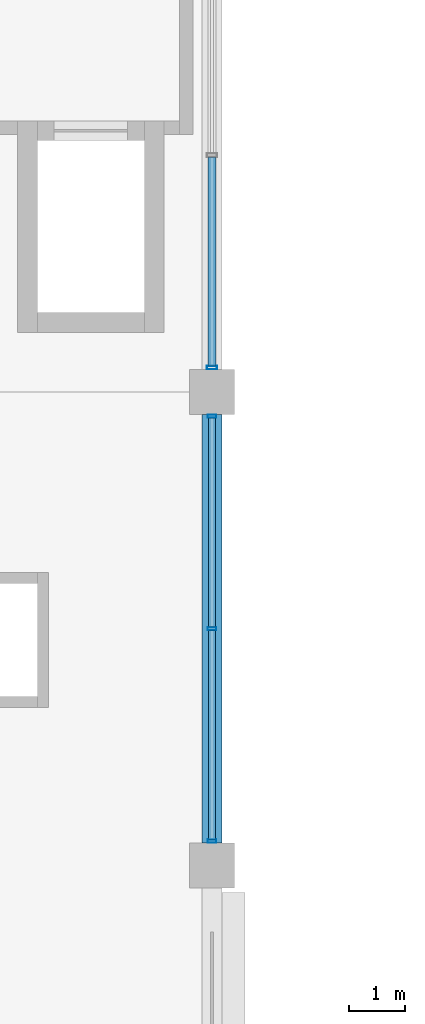
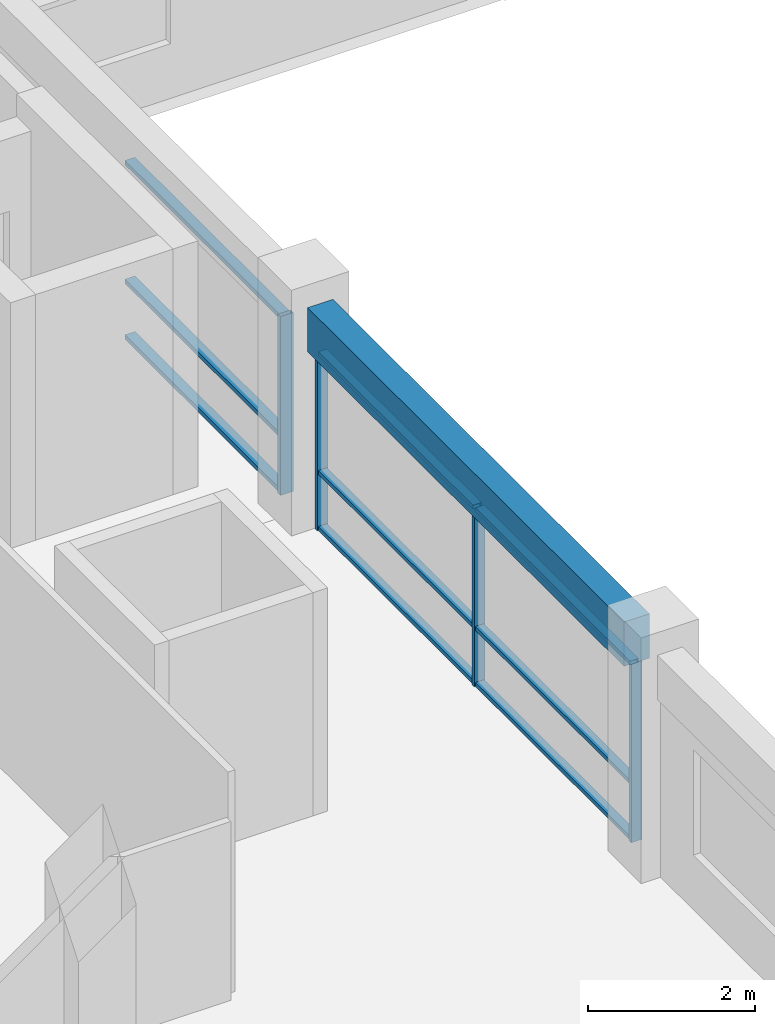
# One storey, part 2 of 50: 13 members, 1 beam, 2 elements without a shape of their own.
"""IFC4 building model written with IfcOpenShell, lengths in metres."""

from ifc_helpers import new_model, si_unit, direction, frame, origin, origin_2d, place, context, subcontext, project, spatial, rectangle, hollow_rectangle, extrude, material, material_profile, profile_set, type_object, element, aggregate, save


model = new_model("IFC4")

# Units and contexts
model_context = context("Model", 3, precision=1e-05, world=origin(), true_north=direction((0.0, 1.0)))
body_context = subcontext(model_context, "Body", "Model", "MODEL_VIEW")
ifc_project = project(units=[si_unit("LENGTHUNIT", "METRE"), si_unit("AREAUNIT", "SQUARE_METRE"), si_unit("VOLUMEUNIT", "CUBIC_METRE"), si_unit("PLANEANGLEUNIT", "RADIAN"), si_unit("MASSUNIT", "GRAM", prefix="KILO"), si_unit("THERMODYNAMICTEMPERATUREUNIT", "KELVIN"), si_unit("POWERUNIT", "WATT")], contexts=[model_context])

# Site, building, storey
site_placement = place(None, origin())
site = spatial("IfcSite", under=ifc_project, at=site_placement, CompositionType="ELEMENT")
building_placement = place(site_placement, origin())
building = spatial("IfcBuilding", under=site, at=building_placement, Name="Srebrne Nadtorze General Hospital", CompositionType="ELEMENT")
storey_placement = place(building_placement, frame((0.0, 0.0, 14.39990234375)))
storey = spatial("IfcBuildingStorey", under=building, at=storey_placement, Name="L03", CompositionType="ELEMENT", Elevation=14.39990234375)

# Curtain wall, members
ifc_material_1 = material(Name="Anodised Aluminium", Category="aluminium")
curtain_wall_type = type_object("IfcCurtainWallType", Name="Unitised curtain wall 7600x2620", PredefinedType="NOTDEFINED", material=ifc_material_1)
curtain_wall_1_placement = place(storey_placement, origin())
curtain_wall_1 = element("IfcCurtainWall", 1, at=curtain_wall_1_placement, inside=storey, type_object=curtain_wall_type, Name="Curtain wall CW-094", PredefinedType="NOTDEFINED")
ifc_material_2 = material(Name="Anodised Aluminium", Category="aluminium")
ifc_material_profile_1 = material_profile(ifc_material_2, hollow_rectangle(XDim=0.06005859375, YDim=0.14990234375, WallThickness=0.00390625, at=origin_2d()), Name="AL-MUL-60x150")
ifc_profile_set_1 = profile_set([ifc_material_profile_1], Name="Anodised Aluminium")
member_type_1 = type_object("IfcMemberType", Name="Curtain mullion 60x150", PredefinedType="MULLION", material=ifc_profile_set_1)
member_1_placement = place(storey_placement, frame((54.60009765625, 34.030029296875, 0.0), z_axis=(0.0, 0.0, 1.0), x_axis=(0.0, 1.0, 0.0)))
member_1 = element("IfcMember", 2, at=member_1_placement, type_object=member_type_1, Name="CW-094 mullion 1", PredefinedType="MULLION", context=body_context, shape_type="SweptSolid", body=[
    extrude(hollow_rectangle(XDim=0.06005859375, YDim=0.14990234375, WallThickness=0.00390625, at=origin_2d()), origin(), (0.0, 0.0, 1.0), 2.6201171875),
])
member_2_placement = place(storey_placement, frame((54.60009765625, 37.800048828125, 0.0), z_axis=(0.0, 0.0, 1.0), x_axis=(0.0, 1.0, 0.0)))
member_2 = element("IfcMember", 3, at=member_2_placement, type_object=member_type_1, Name="CW-094 mullion 2", PredefinedType="MULLION", context=body_context, shape_type="SweptSolid", body=[
    extrude(hollow_rectangle(XDim=0.06005859375, YDim=0.14990234375, WallThickness=0.00390625, at=origin_2d()), origin(), (0.0, 0.0, 1.0), 2.6201171875),
])
member_3_placement = place(storey_placement, frame((54.60009765625, 41.570068359375, 0.0), z_axis=(0.0, 0.0, 1.0), x_axis=(0.0, 1.0, 0.0)))
member_3 = element("IfcMember", 4, at=member_3_placement, type_object=member_type_1, Name="CW-094 mullion 3", PredefinedType="MULLION", context=body_context, shape_type="SweptSolid", body=[
    extrude(hollow_rectangle(XDim=0.06005859375, YDim=0.14990234375, WallThickness=0.00390625, at=origin_2d()), origin(), (0.0, 0.0, 1.0), 2.6201171875),
])

# Curtain wall, member
curtain_wall_2_placement = place(storey_placement, origin())
curtain_wall_2 = element("IfcCurtainWall", 5, at=curtain_wall_2_placement, inside=storey, type_object=curtain_wall_type, Name="Curtain wall CW-095", PredefinedType="NOTDEFINED")
ifc_material_3 = material(Name="Anodised Aluminium", Category="aluminium")
ifc_material_profile_2 = material_profile(ifc_material_3, hollow_rectangle(XDim=0.06494140625, YDim=0.179931640625, WallThickness=0.00390625, at=origin_2d()), Name="AL-MUL-65x180")
ifc_profile_set_2 = profile_set([ifc_material_profile_2], Name="Anodised Aluminium")
member_type_2 = type_object("IfcMemberType", Name="Curtain mullion 65x180", PredefinedType="MULLION", material=ifc_profile_set_2)
member_4_placement = place(storey_placement, frame((54.60009765625, 42.4326171875, 0.0), z_axis=(0.0, 0.0, 1.0), x_axis=(0.0, 1.0, 0.0)))
member_4 = element("IfcMember", 6, at=member_4_placement, type_object=member_type_2, Name="CW-095 mullion 1", PredefinedType="MULLION", context=body_context, shape_type="SweptSolid", body=[
    extrude(hollow_rectangle(XDim=0.06494140625, YDim=0.179931640625, WallThickness=0.00390625, at=origin_2d()), origin(), (0.0, 0.0, 1.0), 2.6201171875),
])

# Member
ifc_material_4 = material(Name="Anodised Aluminium", Category="aluminium")
ifc_material_profile_3 = material_profile(ifc_material_4, hollow_rectangle(XDim=0.06005859375, YDim=0.1201171875, WallThickness=0.00390625, at=origin_2d()), Name="AL-TRN-60x120")
ifc_profile_set_3 = profile_set([ifc_material_profile_3], Name="Anodised Aluminium")
member_type_3 = type_object("IfcMemberType", Name="Curtain transom 60x120", PredefinedType="USERDEFINED", material=ifc_profile_set_3)
member_5_placement = place(storey_placement, frame((54.60009765625, 34.06005859375, 0.030029296875), z_axis=(0.0, 1.0, 0.0), x_axis=(0.0, 0.0, 1.0)))
member_5 = element("IfcMember", 7, at=member_5_placement, type_object=member_type_3, Name="CW-094 transom 1.1", ObjectType="TRANSOM", PredefinedType="USERDEFINED", context=body_context, shape_type="SweptSolid", body=[
    extrude(hollow_rectangle(XDim=0.06005859375, YDim=0.1201171875, WallThickness=0.00390625, at=origin_2d()), origin(), (0.0, 0.0, 1.0), 3.7099609375),
])

member_6_placement = place(storey_placement, frame((54.60009765625, 34.06005859375, 0.85009765625), z_axis=(0.0, 1.0, 0.0), x_axis=(0.0, 0.0, 1.0)))
member_6 = element("IfcMember", 8, at=member_6_placement, type_object=member_type_3, Name="CW-094 transom 1.2", ObjectType="TRANSOM", PredefinedType="USERDEFINED", context=body_context, shape_type="SweptSolid", body=[
    extrude(hollow_rectangle(XDim=0.06005859375, YDim=0.1201171875, WallThickness=0.00390625, at=origin_2d()), origin(), (0.0, 0.0, 1.0), 3.7099609375),
])

member_7_placement = place(storey_placement, frame((54.60009765625, 34.06005859375, 2.590087890625), z_axis=(0.0, 1.0, 0.0), x_axis=(0.0, 0.0, 1.0)))
member_7 = element("IfcMember", 9, at=member_7_placement, type_object=member_type_3, Name="CW-094 transom 1.3", ObjectType="TRANSOM", PredefinedType="USERDEFINED", context=body_context, shape_type="SweptSolid", body=[
    extrude(hollow_rectangle(XDim=0.06005859375, YDim=0.1201171875, WallThickness=0.00390625, at=origin_2d()), origin(), (0.0, 0.0, 1.0), 3.7099609375),
])

member_8_placement = place(storey_placement, frame((54.60009765625, 37.830078125, 0.030029296875), z_axis=(0.0, 1.0, 0.0), x_axis=(0.0, 0.0, 1.0)))
member_8 = element("IfcMember", 10, at=member_8_placement, type_object=member_type_3, Name="CW-094 transom 2.1", ObjectType="TRANSOM", PredefinedType="USERDEFINED", context=body_context, shape_type="SweptSolid", body=[
    extrude(hollow_rectangle(XDim=0.06005859375, YDim=0.1201171875, WallThickness=0.00390625, at=origin_2d()), origin(), (0.0, 0.0, 1.0), 3.7099609375),
])

member_9_placement = place(storey_placement, frame((54.60009765625, 37.830078125, 0.85009765625), z_axis=(0.0, 1.0, 0.0), x_axis=(0.0, 0.0, 1.0)))
member_9 = element("IfcMember", 11, at=member_9_placement, type_object=member_type_3, Name="CW-094 transom 2.2", ObjectType="TRANSOM", PredefinedType="USERDEFINED", context=body_context, shape_type="SweptSolid", body=[
    extrude(hollow_rectangle(XDim=0.06005859375, YDim=0.1201171875, WallThickness=0.00390625, at=origin_2d()), origin(), (0.0, 0.0, 1.0), 3.7099609375),
])

member_10_placement = place(storey_placement, frame((54.60009765625, 37.830078125, 2.590087890625), z_axis=(0.0, 1.0, 0.0), x_axis=(0.0, 0.0, 1.0)))
member_10 = element("IfcMember", 12, at=member_10_placement, type_object=member_type_3, Name="CW-094 transom 2.3", ObjectType="TRANSOM", PredefinedType="USERDEFINED", context=body_context, shape_type="SweptSolid", body=[
    extrude(hollow_rectangle(XDim=0.06005859375, YDim=0.1201171875, WallThickness=0.00390625, at=origin_2d()), origin(), (0.0, 0.0, 1.0), 3.7099609375),
])

aggregate(curtain_wall_1, [member_1, member_2, member_3, member_5, member_6, member_7, member_8, member_9, member_10])

ifc_material_5 = material(Name="Anodised Aluminium", Category="aluminium")
ifc_material_profile_4 = material_profile(ifc_material_5, hollow_rectangle(XDim=0.06494140625, YDim=0.139892578125, WallThickness=0.00390625, at=origin_2d()), Name="AL-TRN-65x140")
ifc_profile_set_4 = profile_set([ifc_material_profile_4], Name="Anodised Aluminium")
member_type_4 = type_object("IfcMemberType", Name="Curtain transom 65x140", PredefinedType="USERDEFINED", material=ifc_profile_set_4)
member_11_placement = place(storey_placement, frame((54.60009765625, 42.465087890625, 0.03271484375), z_axis=(0.0, 1.0, 0.0), x_axis=(0.0, 0.0, 1.0)))
member_11 = element("IfcMember", 13, at=member_11_placement, type_object=member_type_4, Name="CW-095 transom 1.1", ObjectType="TRANSOM", PredefinedType="USERDEFINED", context=body_context, shape_type="SweptSolid", body=[
    extrude(hollow_rectangle(XDim=0.06494140625, YDim=0.139892578125, WallThickness=0.00390625, at=origin_2d()), origin(), (0.0, 0.0, 1.0), 3.702392578125),
])

member_12_placement = place(storey_placement, frame((54.60009765625, 42.465087890625, 0.85009765625), z_axis=(0.0, 1.0, 0.0), x_axis=(0.0, 0.0, 1.0)))
member_12 = element("IfcMember", 14, at=member_12_placement, type_object=member_type_4, Name="CW-095 transom 1.2", ObjectType="TRANSOM", PredefinedType="USERDEFINED", context=body_context, shape_type="SweptSolid", body=[
    extrude(hollow_rectangle(XDim=0.06494140625, YDim=0.139892578125, WallThickness=0.00390625, at=origin_2d()), origin(), (0.0, 0.0, 1.0), 3.702392578125),
])

member_13_placement = place(storey_placement, frame((54.60009765625, 42.465087890625, 2.587646484375), z_axis=(0.0, 1.0, 0.0), x_axis=(0.0, 0.0, 1.0)))
member_13 = element("IfcMember", 15, at=member_13_placement, type_object=member_type_4, Name="CW-095 transom 1.3", ObjectType="TRANSOM", PredefinedType="USERDEFINED", context=body_context, shape_type="SweptSolid", body=[
    extrude(hollow_rectangle(XDim=0.06494140625, YDim=0.139892578125, WallThickness=0.00390625, at=origin_2d()), origin(), (0.0, 0.0, 1.0), 3.702392578125),
])

aggregate(curtain_wall_2, [member_4, member_11, member_12, member_13])

# Beam
ifc_material_6 = material(Name="Concrete C35/45", Category="concrete")
ifc_material_profile_5 = material_profile(ifc_material_6, rectangle(XDim=0.35009765625, YDim=0.64990234375, at=origin_2d()), Name="RC-BM-350x650")
ifc_profile_set_5 = profile_set([ifc_material_profile_5], Name="Concrete C35/45")
beam_type = type_object("IfcBeamType", Name="Edge beam RC 350x650", PredefinedType="BEAM", material=ifc_profile_set_5)
beam_placement = place(storey_placement, frame((54.60009765625, 34.0, 2.945068359375), z_axis=(0.0, 1.0, 0.0), x_axis=(-1.0, 0.0, 0.0)))
element("IfcBeam", 16, at=beam_placement, inside=storey, type_object=beam_type, Name="Beam BM-L03-Y-0813", PredefinedType="BEAM", context=body_context, shape_type="SweptSolid", body=[
    extrude(rectangle(XDim=0.35009765625, YDim=0.64990234375, at=origin_2d()), origin(), (0.0, 0.0, 1.0), 7.60009765625),
])

save(model, "model.ifc")
